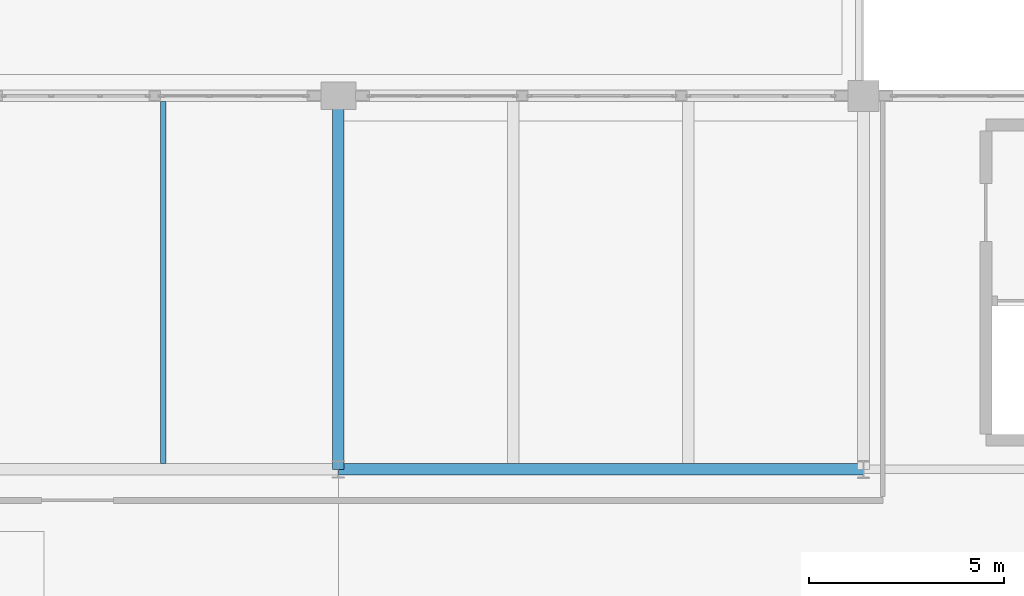
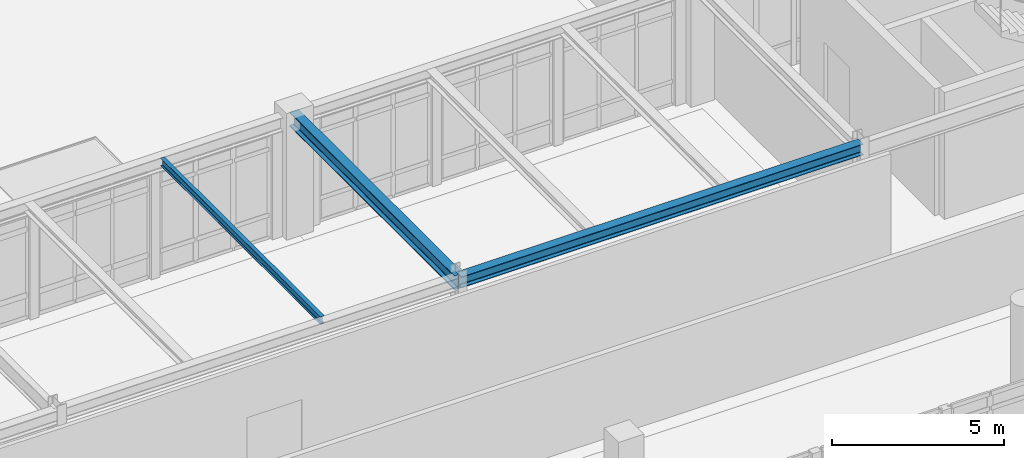
# One storey, part 28 of 55: 3 beams.
"""IFC4 building model written with IfcOpenShell, lengths in metres."""

from ifc_helpers import new_model, si_unit, direction, frame, origin, origin_2d, place, context, subcontext, project, spatial, i_section, extrude, material, material_profile, profile_set, type_object, element, save


model = new_model("IFC4")

# Units and contexts
model_context = context("Model", 3, precision=1e-05, world=origin(), true_north=direction((0.0, 1.0)))
body_context = subcontext(model_context, "Body", "Model", "MODEL_VIEW")
ifc_project = project(units=[si_unit("LENGTHUNIT", "METRE"), si_unit("AREAUNIT", "SQUARE_METRE"), si_unit("VOLUMEUNIT", "CUBIC_METRE"), si_unit("PLANEANGLEUNIT", "RADIAN"), si_unit("MASSUNIT", "GRAM", prefix="KILO")], contexts=[model_context])

# Site, building, storey
site_placement = place(None, origin())
site = spatial("IfcSite", under=ifc_project, at=site_placement, CompositionType="ELEMENT")
building_placement = place(site_placement, origin())
building = spatial("IfcBuilding", under=site, at=building_placement, Name="Fikremerkos Civic Library", CompositionType="ELEMENT")
storey_placement = place(building_placement, frame((0.0, 0.0, 18.89990234375)))
storey = spatial("IfcBuildingStorey", under=building, at=storey_placement, Name="L04", CompositionType="ELEMENT", Elevation=18.89990234375)

# Beams
ifc_material = material(Name="Steel S355", Category="steel")
ifc_material_profile_1 = material_profile(ifc_material, i_section(OverallWidth=0.135009765625, OverallDepth=0.27001953125, WebThickness=0.006591796875, FlangeThickness=0.01025390625, FilletRadius=0.014892578125, at=origin_2d()), Name="IPE 270")
ifc_profile_set_1 = profile_set([ifc_material_profile_1], Name="Steel S355")
beam_type_1 = type_object("IfcBeamType", Name="Floor joist JS-12 IPE 270", PredefinedType="JOIST", material=ifc_profile_set_1)
beam_1_placement = place(storey_placement, frame((82.199951171875, 21.75, 4.10498046875), z_axis=(0.0, 1.0, 0.0), x_axis=(-1.0, 0.0, 0.0)))
element("IfcBeam", 1, at=beam_1_placement, inside=storey, type_object=beam_type_1, Name="Floor joist JS-12 L04 #589", PredefinedType="JOIST", context=body_context, shape_type="SweptSolid", body=[
    extrude(i_section(OverallWidth=0.135009765625, OverallDepth=0.27001953125, WebThickness=0.006591796875, FlangeThickness=0.01025390625, FilletRadius=0.014892578125, at=origin_2d()), origin(), (0.0, 0.0, 1.0), 9.300048828125),
])
ifc_material_profile_2 = material_profile(ifc_material, i_section(OverallWidth=0.300048828125, OverallDepth=0.389892578125, WebThickness=0.010986328125, FlangeThickness=0.01904296875, FilletRadius=0.027099609375, at=origin_2d()), Name="HEA 400")
ifc_profile_set_2 = profile_set([ifc_material_profile_2], Name="Steel S355")
beam_type_2 = type_object("IfcBeamType", Name="Primary girder BM-19 HEA 400", PredefinedType="BEAM", material=ifc_profile_set_2)
beam_2_placement = place(storey_placement, frame((86.699951171875, 21.60009765625, 4.045166015625), z_axis=(1.0, 0.0, 0.0), x_axis=(0.0, 1.0, 0.0)))
element("IfcBeam", 2, at=beam_2_placement, inside=storey, type_object=beam_type_2, Name="Primary girder BM-19 L04 grid F", PredefinedType="BEAM", context=body_context, shape_type="SweptSolid", body=[
    extrude(i_section(OverallWidth=0.300048828125, OverallDepth=0.389892578125, WebThickness=0.010986328125, FlangeThickness=0.01904296875, FilletRadius=0.027099609375, at=origin_2d()), origin(), (0.0, 0.0, 1.0), 13.5),
])
ifc_material_profile_3 = material_profile(ifc_material, i_section(OverallWidth=0.300048828125, OverallDepth=0.5, WebThickness=0.014404296875, FlangeThickness=0.028076171875, FilletRadius=0.027099609375, at=origin_2d()), Name="HEB 500")
ifc_profile_set_3 = profile_set([ifc_material_profile_3], Name="Steel S355")
beam_type_3 = type_object("IfcBeamType", Name="Primary girder BM-22 HEB 500", PredefinedType="BEAM", material=ifc_profile_set_3)
beam_3_placement = place(storey_placement, frame((86.699951171875, 21.60009765625, 3.989990234375), z_axis=(0.0, 1.0, 0.0), x_axis=(-1.0, 0.0, 0.0)))
element("IfcBeam", 3, at=beam_3_placement, inside=storey, type_object=beam_type_3, Name="Primary girder BM-22 L04 grid 8", PredefinedType="BEAM", context=body_context, shape_type="SweptSolid", body=[
    extrude(i_section(OverallWidth=0.300048828125, OverallDepth=0.5, WebThickness=0.014404296875, FlangeThickness=0.028076171875, FilletRadius=0.027099609375, at=origin_2d()), origin(), (0.0, 0.0, 1.0), 9.599853515625),
])

save(model, "model.ifc")
